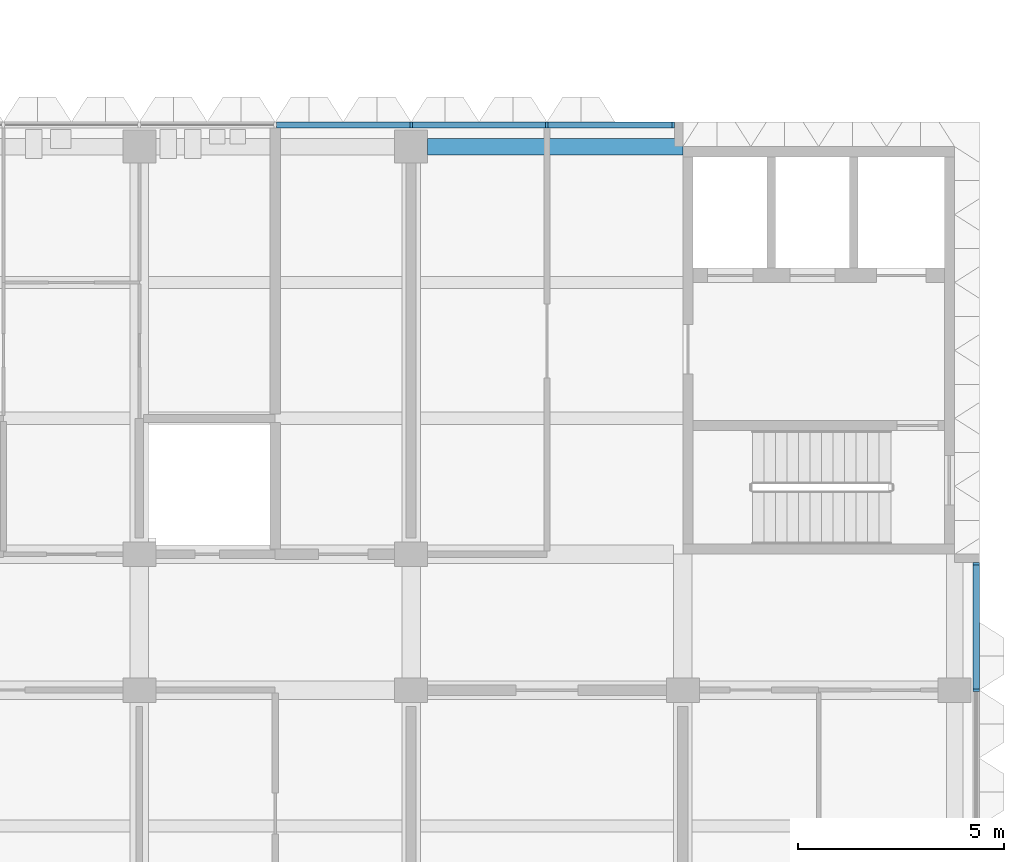
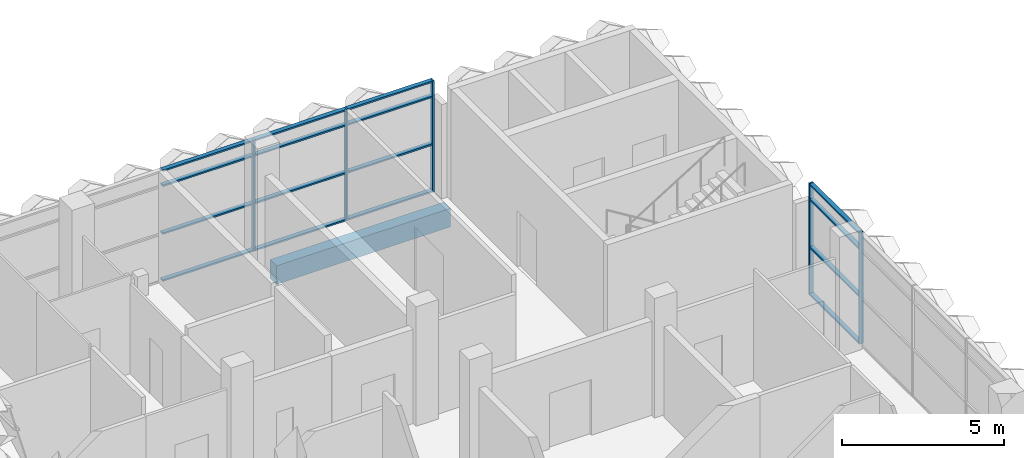
# One storey, part 8 of 39: 21 members, 1 beam, 2 elements without a shape of their own.
"""IFC4 building model written with IfcOpenShell, lengths in metres."""

from ifc_helpers import new_model, si_unit, direction, frame, origin, origin_2d, place, context, subcontext, project, spatial, rectangle, extrude, material, material_profile, profile_set, type_object, element, aggregate, save


model = new_model("IFC4")

# Units and contexts
model_context = context("Model", 3, precision=1e-05, world=origin(), true_north=direction((0.0, 1.0)))
body_context = subcontext(model_context, "Body", "Model", "MODEL_VIEW")
ifc_project = project(units=[si_unit("LENGTHUNIT", "METRE"), si_unit("AREAUNIT", "SQUARE_METRE"), si_unit("VOLUMEUNIT", "CUBIC_METRE"), si_unit("PLANEANGLEUNIT", "RADIAN"), si_unit("MASSUNIT", "GRAM", prefix="KILO")], contexts=[model_context])

# Site, building, storey
site_placement = place(None, origin())
site = spatial("IfcSite", under=ifc_project, at=site_placement, CompositionType="ELEMENT")
building_placement = place(site_placement, origin())
building = spatial("IfcBuilding", under=site, at=building_placement, Name="Lantern Court Research Institute", CompositionType="ELEMENT")
storey_placement = place(building_placement, frame((0.0, 0.0, 27.89990234375)))
storey = spatial("IfcBuildingStorey", under=building, at=storey_placement, Name="L06", CompositionType="ELEMENT", Elevation=27.89990234375)

# Curtain wall, members
ifc_material_1 = material(Name="Aluminium alloy 6063-T6", Category="aluminium")
curtain_wall_type_1 = type_object("IfcCurtainWallType", Name="Curtain wall 21250 x 4200 x 150 aluminium frame", PredefinedType="NOTDEFINED", material=ifc_material_1)
curtain_wall_1_placement = place(storey_placement, origin())
curtain_wall_1 = element("IfcCurtainWall", 1, at=curtain_wall_1_placement, inside=storey, type_object=curtain_wall_type_1, Name="Curtain wall CW077", PredefinedType="NOTDEFINED")
ifc_material_2 = material(Name="Aluminium alloy 6063-T6", Category="aluminium")
ifc_material_profile_1 = material_profile(ifc_material_2, rectangle(XDim=0.14990234375, YDim=0.06005859375, at=origin_2d()), Name="Mullion 150 x 60")
ifc_profile_set_1 = profile_set([ifc_material_profile_1], Name="Aluminium alloy 6063-T6")
member_type_1 = type_object("IfcMemberType", Name="Mullion 150 x 60 aluminium", PredefinedType="MULLION", material=ifc_profile_set_1)
member_1_placement = place(storey_placement, frame((79.72509765625, 9.89990234375, 0.0), z_axis=(0.0, 0.0, 1.0), x_axis=(1.0, 0.0, 0.0)))
member_1 = element("IfcMember", 2, at=member_1_placement, type_object=member_type_1, Name="CW077 mullion 7", PredefinedType="MULLION", context=body_context, shape_type="SweptSolid", body=[
    extrude(rectangle(XDim=0.14990234375, YDim=0.06005859375, at=origin_2d()), origin(), (0.0, 0.0, 1.0), 4.2001953125),
])
member_2_placement = place(storey_placement, frame((79.72509765625, 12.969970703125, 0.0), z_axis=(0.0, 0.0, 1.0), x_axis=(1.0, 0.0, 0.0)))
member_2 = element("IfcMember", 3, at=member_2_placement, type_object=member_type_1, Name="CW077 mullion 8", PredefinedType="MULLION", context=body_context, shape_type="SweptSolid", body=[
    extrude(rectangle(XDim=0.14990234375, YDim=0.06005859375, at=origin_2d()), origin(), (0.0, 0.0, 1.0), 4.2001953125),
])

ifc_material_3 = material(Name="Aluminium alloy 6063-T6", Category="aluminium")
curtain_wall_type_2 = type_object("IfcCurtainWallType", Name="Curtain wall 20200 x 4200 x 150 aluminium frame", PredefinedType="NOTDEFINED", material=ifc_material_3)
curtain_wall_2_placement = place(storey_placement, origin())
curtain_wall_2 = element("IfcCurtainWall", 4, at=curtain_wall_2_placement, inside=storey, type_object=curtain_wall_type_2, Name="Curtain wall CW078", PredefinedType="NOTDEFINED")
member_3_placement = place(storey_placement, frame((66.0, 23.625, 0.0), z_axis=(0.0, 0.0, 1.0), x_axis=(0.0, 1.0, 0.0)))
member_3 = element("IfcMember", 5, at=member_3_placement, type_object=member_type_1, Name="CW078 mullion 5", PredefinedType="MULLION", context=body_context, shape_type="SweptSolid", body=[
    extrude(rectangle(XDim=0.14990234375, YDim=0.06005859375, at=origin_2d()), origin(), (0.0, 0.0, 1.0), 4.2001953125),
])
member_4_placement = place(storey_placement, frame((69.300048828125, 23.625, 0.0), z_axis=(0.0, 0.0, 1.0), x_axis=(0.0, 1.0, 0.0)))
member_4 = element("IfcMember", 6, at=member_4_placement, type_object=member_type_1, Name="CW078 mullion 6", PredefinedType="MULLION", context=body_context, shape_type="SweptSolid", body=[
    extrude(rectangle(XDim=0.14990234375, YDim=0.06005859375, at=origin_2d()), origin(), (0.0, 0.0, 1.0), 4.2001953125),
])
member_5_placement = place(storey_placement, frame((72.3701171875, 23.625, 0.0), z_axis=(0.0, 0.0, 1.0), x_axis=(0.0, 1.0, 0.0)))
member_5 = element("IfcMember", 7, at=member_5_placement, type_object=member_type_1, Name="CW078 mullion 7", PredefinedType="MULLION", context=body_context, shape_type="SweptSolid", body=[
    extrude(rectangle(XDim=0.14990234375, YDim=0.06005859375, at=origin_2d()), origin(), (0.0, 0.0, 1.0), 4.2001953125),
])

# Beam
ifc_material_4 = material(Name="Concrete C40/50", Category="concrete")
ifc_material_profile_2 = material_profile(ifc_material_4, rectangle(XDim=0.39990234375, YDim=0.699951171875, at=origin_2d()), Name="RC beam 400 x 700")
ifc_profile_set_2 = profile_set([ifc_material_profile_2], Name="Concrete C40/50")
beam_type = type_object("IfcBeamType", Name="RC edge beam 400 x 700", PredefinedType="BEAM", material=ifc_profile_set_2)
beam_placement = place(storey_placement, frame((66.39990234375, 23.10009765625, -0.64990234375), z_axis=(1.0, 0.0, 0.0), x_axis=(0.0, 1.0, 0.0)))
element("IfcBeam", 8, at=beam_placement, inside=storey, type_object=beam_type, Name="Edge beam L06 grid D/11-12", PredefinedType="BEAM", context=body_context, shape_type="SweptSolid", body=[
    extrude(rectangle(XDim=0.39990234375, YDim=0.699951171875, at=origin_2d()), origin(), (0.0, 0.0, 1.0), 6.2001953125),
])

# Member
ifc_material_5 = material(Name="Aluminium alloy 6063-T6", Category="aluminium")
ifc_material_profile_3 = material_profile(ifc_material_5, rectangle(XDim=0.14990234375, YDim=0.06005859375, at=origin_2d()), Name="Transom 150 x 60")
ifc_profile_set_3 = profile_set([ifc_material_profile_3], Name="Aluminium alloy 6063-T6")
member_type_2 = type_object("IfcMemberType", Name="Transom 150 x 60 aluminium", PredefinedType="USERDEFINED", material=ifc_profile_set_3)
member_6_placement = place(storey_placement, frame((79.72509765625, 12.93994140625, 0.030029296875), z_axis=(0.0, -1.0, 0.0), x_axis=(1.0, 0.0, 0.0)))
member_6 = element("IfcMember", 9, at=member_6_placement, type_object=member_type_2, Name="CW077 transom 7.1", ObjectType="TRANSOM", PredefinedType="USERDEFINED", context=body_context, shape_type="SweptSolid", body=[
    extrude(rectangle(XDim=0.14990234375, YDim=0.06005859375, at=origin_2d()), origin(), (0.0, 0.0, 1.0), 3.010009765625),
])

member_7_placement = place(storey_placement, frame((79.72509765625, 12.93994140625, 1.800048828125), z_axis=(0.0, -1.0, 0.0), x_axis=(1.0, 0.0, 0.0)))
member_7 = element("IfcMember", 10, at=member_7_placement, type_object=member_type_2, Name="CW077 transom 7.2", ObjectType="TRANSOM", PredefinedType="USERDEFINED", context=body_context, shape_type="SweptSolid", body=[
    extrude(rectangle(XDim=0.14990234375, YDim=0.06005859375, at=origin_2d()), origin(), (0.0, 0.0, 1.0), 3.010009765625),
])

member_8_placement = place(storey_placement, frame((79.72509765625, 12.93994140625, 3.60009765625), z_axis=(0.0, -1.0, 0.0), x_axis=(1.0, 0.0, 0.0)))
member_8 = element("IfcMember", 11, at=member_8_placement, type_object=member_type_2, Name="CW077 transom 7.3", ObjectType="TRANSOM", PredefinedType="USERDEFINED", context=body_context, shape_type="SweptSolid", body=[
    extrude(rectangle(XDim=0.14990234375, YDim=0.06005859375, at=origin_2d()), origin(), (0.0, 0.0, 1.0), 3.010009765625),
])

member_9_placement = place(storey_placement, frame((79.72509765625, 12.93994140625, 4.170166015625), z_axis=(0.0, -1.0, 0.0), x_axis=(1.0, 0.0, 0.0)))
member_9 = element("IfcMember", 12, at=member_9_placement, type_object=member_type_2, Name="CW077 transom 7.4", ObjectType="TRANSOM", PredefinedType="USERDEFINED", context=body_context, shape_type="SweptSolid", body=[
    extrude(rectangle(XDim=0.14990234375, YDim=0.06005859375, at=origin_2d()), origin(), (0.0, 0.0, 1.0), 3.010009765625),
])

aggregate(curtain_wall_1, [member_1, member_2, member_6, member_7, member_8, member_9])

member_10_placement = place(storey_placement, frame((62.72998046875, 23.625, 0.030029296875), z_axis=(1.0, 0.0, 0.0), x_axis=(0.0, 1.0, 0.0)))
member_10 = element("IfcMember", 13, at=member_10_placement, type_object=member_type_2, Name="CW078 transom 4.1", ObjectType="TRANSOM", PredefinedType="USERDEFINED", context=body_context, shape_type="SweptSolid", body=[
    extrude(rectangle(XDim=0.14990234375, YDim=0.06005859375, at=origin_2d()), origin(), (0.0, 0.0, 1.0), 3.239990234375),
])

member_11_placement = place(storey_placement, frame((62.72998046875, 23.625, 1.800048828125), z_axis=(1.0, 0.0, 0.0), x_axis=(0.0, 1.0, 0.0)))
member_11 = element("IfcMember", 14, at=member_11_placement, type_object=member_type_2, Name="CW078 transom 4.2", ObjectType="TRANSOM", PredefinedType="USERDEFINED", context=body_context, shape_type="SweptSolid", body=[
    extrude(rectangle(XDim=0.14990234375, YDim=0.06005859375, at=origin_2d()), origin(), (0.0, 0.0, 1.0), 3.239990234375),
])

member_12_placement = place(storey_placement, frame((62.72998046875, 23.625, 3.60009765625), z_axis=(1.0, 0.0, 0.0), x_axis=(0.0, 1.0, 0.0)))
member_12 = element("IfcMember", 15, at=member_12_placement, type_object=member_type_2, Name="CW078 transom 4.3", ObjectType="TRANSOM", PredefinedType="USERDEFINED", context=body_context, shape_type="SweptSolid", body=[
    extrude(rectangle(XDim=0.14990234375, YDim=0.06005859375, at=origin_2d()), origin(), (0.0, 0.0, 1.0), 3.239990234375),
])

member_13_placement = place(storey_placement, frame((62.72998046875, 23.625, 4.170166015625), z_axis=(1.0, 0.0, 0.0), x_axis=(0.0, 1.0, 0.0)))
member_13 = element("IfcMember", 16, at=member_13_placement, type_object=member_type_2, Name="CW078 transom 4.4", ObjectType="TRANSOM", PredefinedType="USERDEFINED", context=body_context, shape_type="SweptSolid", body=[
    extrude(rectangle(XDim=0.14990234375, YDim=0.06005859375, at=origin_2d()), origin(), (0.0, 0.0, 1.0), 3.239990234375),
])

member_14_placement = place(storey_placement, frame((66.030029296875, 23.625, 0.030029296875), z_axis=(1.0, 0.0, 0.0), x_axis=(0.0, 1.0, 0.0)))
member_14 = element("IfcMember", 17, at=member_14_placement, type_object=member_type_2, Name="CW078 transom 5.1", ObjectType="TRANSOM", PredefinedType="USERDEFINED", context=body_context, shape_type="SweptSolid", body=[
    extrude(rectangle(XDim=0.14990234375, YDim=0.06005859375, at=origin_2d()), origin(), (0.0, 0.0, 1.0), 3.239990234375),
])

member_15_placement = place(storey_placement, frame((66.030029296875, 23.625, 1.800048828125), z_axis=(1.0, 0.0, 0.0), x_axis=(0.0, 1.0, 0.0)))
member_15 = element("IfcMember", 18, at=member_15_placement, type_object=member_type_2, Name="CW078 transom 5.2", ObjectType="TRANSOM", PredefinedType="USERDEFINED", context=body_context, shape_type="SweptSolid", body=[
    extrude(rectangle(XDim=0.14990234375, YDim=0.06005859375, at=origin_2d()), origin(), (0.0, 0.0, 1.0), 3.239990234375),
])

member_16_placement = place(storey_placement, frame((66.030029296875, 23.625, 3.60009765625), z_axis=(1.0, 0.0, 0.0), x_axis=(0.0, 1.0, 0.0)))
member_16 = element("IfcMember", 19, at=member_16_placement, type_object=member_type_2, Name="CW078 transom 5.3", ObjectType="TRANSOM", PredefinedType="USERDEFINED", context=body_context, shape_type="SweptSolid", body=[
    extrude(rectangle(XDim=0.14990234375, YDim=0.06005859375, at=origin_2d()), origin(), (0.0, 0.0, 1.0), 3.239990234375),
])

member_17_placement = place(storey_placement, frame((66.030029296875, 23.625, 4.170166015625), z_axis=(1.0, 0.0, 0.0), x_axis=(0.0, 1.0, 0.0)))
member_17 = element("IfcMember", 20, at=member_17_placement, type_object=member_type_2, Name="CW078 transom 5.4", ObjectType="TRANSOM", PredefinedType="USERDEFINED", context=body_context, shape_type="SweptSolid", body=[
    extrude(rectangle(XDim=0.14990234375, YDim=0.06005859375, at=origin_2d()), origin(), (0.0, 0.0, 1.0), 3.239990234375),
])

member_18_placement = place(storey_placement, frame((69.330078125, 23.625, 0.030029296875), z_axis=(1.0, 0.0, 0.0), x_axis=(0.0, 1.0, 0.0)))
member_18 = element("IfcMember", 21, at=member_18_placement, type_object=member_type_2, Name="CW078 transom 6.1", ObjectType="TRANSOM", PredefinedType="USERDEFINED", context=body_context, shape_type="SweptSolid", body=[
    extrude(rectangle(XDim=0.14990234375, YDim=0.06005859375, at=origin_2d()), origin(), (0.0, 0.0, 1.0), 3.010009765625),
])

member_19_placement = place(storey_placement, frame((69.330078125, 23.625, 1.800048828125), z_axis=(1.0, 0.0, 0.0), x_axis=(0.0, 1.0, 0.0)))
member_19 = element("IfcMember", 22, at=member_19_placement, type_object=member_type_2, Name="CW078 transom 6.2", ObjectType="TRANSOM", PredefinedType="USERDEFINED", context=body_context, shape_type="SweptSolid", body=[
    extrude(rectangle(XDim=0.14990234375, YDim=0.06005859375, at=origin_2d()), origin(), (0.0, 0.0, 1.0), 3.010009765625),
])

member_20_placement = place(storey_placement, frame((69.330078125, 23.625, 3.60009765625), z_axis=(1.0, 0.0, 0.0), x_axis=(0.0, 1.0, 0.0)))
member_20 = element("IfcMember", 23, at=member_20_placement, type_object=member_type_2, Name="CW078 transom 6.3", ObjectType="TRANSOM", PredefinedType="USERDEFINED", context=body_context, shape_type="SweptSolid", body=[
    extrude(rectangle(XDim=0.14990234375, YDim=0.06005859375, at=origin_2d()), origin(), (0.0, 0.0, 1.0), 3.010009765625),
])

member_21_placement = place(storey_placement, frame((69.330078125, 23.625, 4.170166015625), z_axis=(1.0, 0.0, 0.0), x_axis=(0.0, 1.0, 0.0)))
member_21 = element("IfcMember", 24, at=member_21_placement, type_object=member_type_2, Name="CW078 transom 6.4", ObjectType="TRANSOM", PredefinedType="USERDEFINED", context=body_context, shape_type="SweptSolid", body=[
    extrude(rectangle(XDim=0.14990234375, YDim=0.06005859375, at=origin_2d()), origin(), (0.0, 0.0, 1.0), 3.010009765625),
])

aggregate(curtain_wall_2, [member_3, member_4, member_5, member_10, member_11, member_12, member_13, member_14, member_15, member_16, member_17, member_18, member_19, member_20, member_21])

save(model, "model.ifc")
